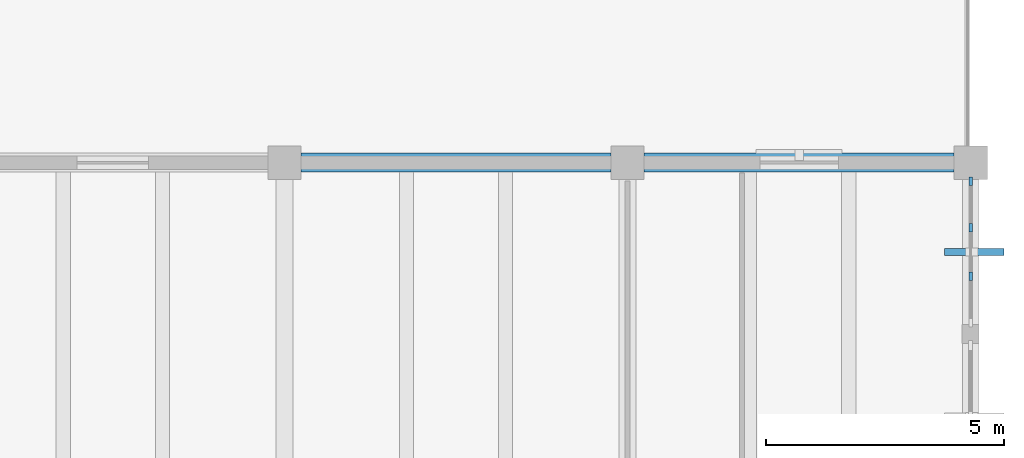
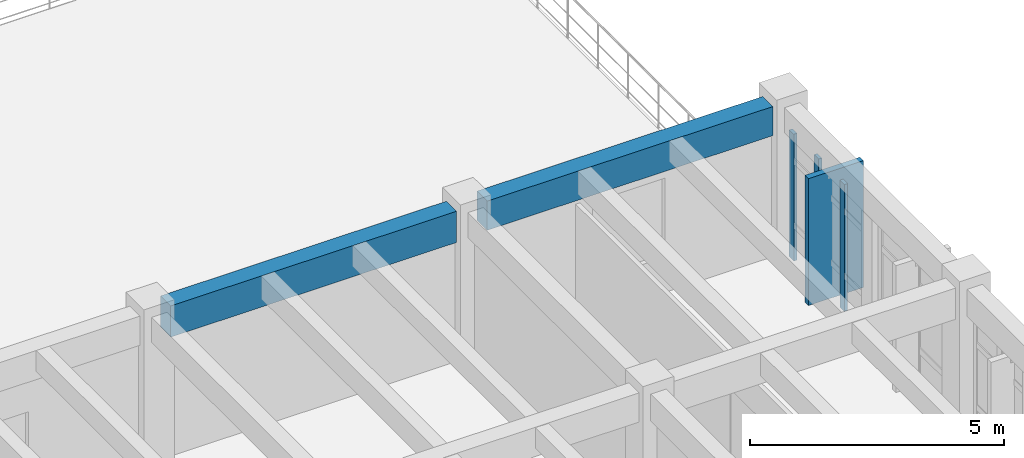
# One storey, part 17 of 54: 4 members, 2 beams, 1 element without a shape of its own.
"""IFC4 building model written with IfcOpenShell, lengths in metres."""

from ifc_helpers import new_model, si_unit, direction, frame, origin, origin_2d, place, context, subcontext, project, spatial, rectangle, extrude, material, layer, layer_set, material_profile, profile_set, type_object, element, aggregate, save


model = new_model("IFC4")

# Units and contexts
model_context = context("Model", 3, precision=1e-05, world=origin(), true_north=direction((0.0, 1.0)))
body_context = subcontext(model_context, "Body", "Model", "MODEL_VIEW")
ifc_project = project(units=[si_unit("LENGTHUNIT", "METRE"), si_unit("AREAUNIT", "SQUARE_METRE"), si_unit("VOLUMEUNIT", "CUBIC_METRE"), si_unit("PLANEANGLEUNIT", "RADIAN"), si_unit("MASSUNIT", "GRAM", prefix="KILO")], contexts=[model_context])

# Site, building, storey
site_placement = place(None, origin())
site = spatial("IfcSite", under=ifc_project, at=site_placement, CompositionType="ELEMENT")
building_placement = place(site_placement, origin())
building = spatial("IfcBuilding", under=site, at=building_placement, Name="Koriwan Promenade Central Fire Station", CompositionType="ELEMENT")
storey_placement = place(building_placement, frame((0.0, 0.0, 9.60009765625)))
storey = spatial("IfcBuildingStorey", under=building, at=storey_placement, Name="L02", CompositionType="ELEMENT", Elevation=9.60009765625)

# Beams
ifc_material_1 = material(Name="Concrete C35/45", Category="concrete")
ifc_material_profile_1 = material_profile(ifc_material_1, rectangle(XDim=0.39990234375, YDim=0.699951171875, at=origin_2d()), Name="RC-BM-400x700")
ifc_profile_set_1 = profile_set([ifc_material_profile_1], Name="Concrete C35/45")
beam_type_1 = type_object("IfcBeamType", Name="Beam_RC-BM-400x700", PredefinedType="BEAM", material=ifc_profile_set_1)
beam_1_placement = place(storey_placement, frame((165.949951171875, 57.60009765625, 3.309814453125), z_axis=(1.0, 0.0, 0.0), x_axis=(0.0, 1.0, 0.0)))
element("IfcBeam", 1, at=beam_1_placement, inside=storey, type_object=beam_type_1, Name="V5 L02 girder X-782", PredefinedType="BEAM", context=body_context, shape_type="SweptSolid", body=[
    extrude(rectangle(XDim=0.39990234375, YDim=0.699951171875, at=origin_2d()), origin(), (0.0, 0.0, 1.0), 6.5),
])
ifc_material_profile_2 = material_profile(ifc_material_1, rectangle(XDim=0.39990234375, YDim=0.75, at=origin_2d()), Name="RC-BM-400x750")
ifc_profile_set_2 = profile_set([ifc_material_profile_2], Name="Concrete C35/45")
beam_type_2 = type_object("IfcBeamType", Name="Beam_RC-BM-400x750", PredefinedType="BEAM", material=ifc_profile_set_2)
beam_2_placement = place(storey_placement, frame((158.75, 57.60009765625, 3.284912109375), z_axis=(1.0, 0.0, 0.0), x_axis=(0.0, 1.0, 0.0)))
element("IfcBeam", 2, at=beam_2_placement, inside=storey, type_object=beam_type_2, Name="V5 L02 girder X-781", PredefinedType="BEAM", context=body_context, shape_type="SweptSolid", body=[
    extrude(rectangle(XDim=0.39990234375, YDim=0.75, at=origin_2d()), origin(), (0.0, 0.0, 1.0), 6.5),
])

# Curtain wall, members
ifc_material_2 = material(Name="Aluminium EN AW-6063-T6 and low-E glazing", Category="aluminium")
ifc_layer = layer(ifc_material_2, 0.159912109375, Name="Aluminium EN AW-6063-T6 and low-E glazing")
ifc_layer_set = layer_set([ifc_layer], Name="Aluminium EN AW-6063-T6 and low-E glazing")
curtain_wall_type = type_object("IfcCurtainWallType", Name="CurtainWall_76_305x305", PredefinedType="USERDEFINED", material=ifc_layer_set)
curtain_wall_placement = place(storey_placement, origin())
curtain_wall = element("IfcCurtainWall", 3, at=curtain_wall_placement, inside=storey, type_object=curtain_wall_type, Name="V5 L02 unitised curtain wall 235", ObjectType="UNITISED CURTAIN WALL", PredefinedType="USERDEFINED")
ifc_material_3 = material(Name="Aluminium EN AW-6063-T6", Category="aluminium")
ifc_material_profile_3 = material_profile(ifc_material_3, rectangle(XDim=0.074951171875, YDim=0.179931640625, at=origin_2d()), Name="ALU-MUL-75x180")
ifc_profile_set_3 = profile_set([ifc_material_profile_3], Name="Aluminium EN AW-6063-T6")
member_type_1 = type_object("IfcMemberType", Name="CWMullion_ALU-MUL-75x180", PredefinedType="MULLION", material=ifc_profile_set_3)
member_1_placement = place(storey_placement, frame((172.800048828125, 57.21240234375, 0.0), z_axis=(0.0, 0.0, 1.0), x_axis=(1.0, 0.0, 0.0)))
member_1 = element("IfcMember", 4, at=member_1_placement, type_object=member_type_1, Name="CW-76 mullion 1", PredefinedType="MULLION", context=body_context, shape_type="SweptSolid", body=[
    extrude(rectangle(XDim=0.074951171875, YDim=0.179931640625, at=origin_2d()), origin(), (0.0, 0.0, 1.0), 3.0498046875),
])
member_2_placement = place(storey_placement, frame((172.800048828125, 56.2333984375, 0.0), z_axis=(0.0, 0.0, 1.0), x_axis=(1.0, 0.0, 0.0)))
member_2 = element("IfcMember", 5, at=member_2_placement, type_object=member_type_1, Name="CW-76 mullion 2", PredefinedType="MULLION", context=body_context, shape_type="SweptSolid", body=[
    extrude(rectangle(XDim=0.074951171875, YDim=0.179931640625, at=origin_2d()), origin(), (0.0, 0.0, 1.0), 3.0498046875),
])
member_3_placement = place(storey_placement, frame((172.800048828125, 55.216552734375, 0.0), z_axis=(0.0, 0.0, 1.0), x_axis=(1.0, 0.0, 0.0)))
member_3 = element("IfcMember", 6, at=member_3_placement, type_object=member_type_1, Name="CW-76 mullion 3", PredefinedType="MULLION", context=body_context, shape_type="SweptSolid", body=[
    extrude(rectangle(XDim=0.074951171875, YDim=0.179931640625, at=origin_2d()), origin(), (0.0, 0.0, 1.0), 3.0498046875),
])
aggregate(curtain_wall, [member_1, member_2, member_3])

# Member
ifc_material_4 = material(Name="Aluminium EN AW-6063-T6 terracotta finish", Category="masonry")
ifc_material_profile_4 = material_profile(ifc_material_4, rectangle(XDim=0.139892578125, YDim=1.25, at=origin_2d()), Name="FIN-TRC-140x1250")
ifc_profile_set_4 = profile_set([ifc_material_profile_4], Name="Aluminium EN AW-6063-T6 terracotta finish")
member_type_2 = type_object("IfcMemberType", Name="SolarFin_FIN-TRC-140x1250", PredefinedType="USERDEFINED", material=ifc_profile_set_4)
member_4_placement = place(storey_placement, frame((172.875, 55.72509765625, 0.0), z_axis=(0.0, 0.0, 1.0), x_axis=(0.0, -1.0, 0.0)))
element("IfcMember", 7, at=member_4_placement, inside=storey, type_object=member_type_2, Name="V5 L02 terracotta solar fin 069", ObjectType="SOLAR FIN", PredefinedType="USERDEFINED", context=body_context, shape_type="SweptSolid", body=[
    extrude(rectangle(XDim=0.139892578125, YDim=1.25, at=origin_2d()), origin(), (0.0, 0.0, 1.0), 3.0498046875),
])

save(model, "model.ifc")
